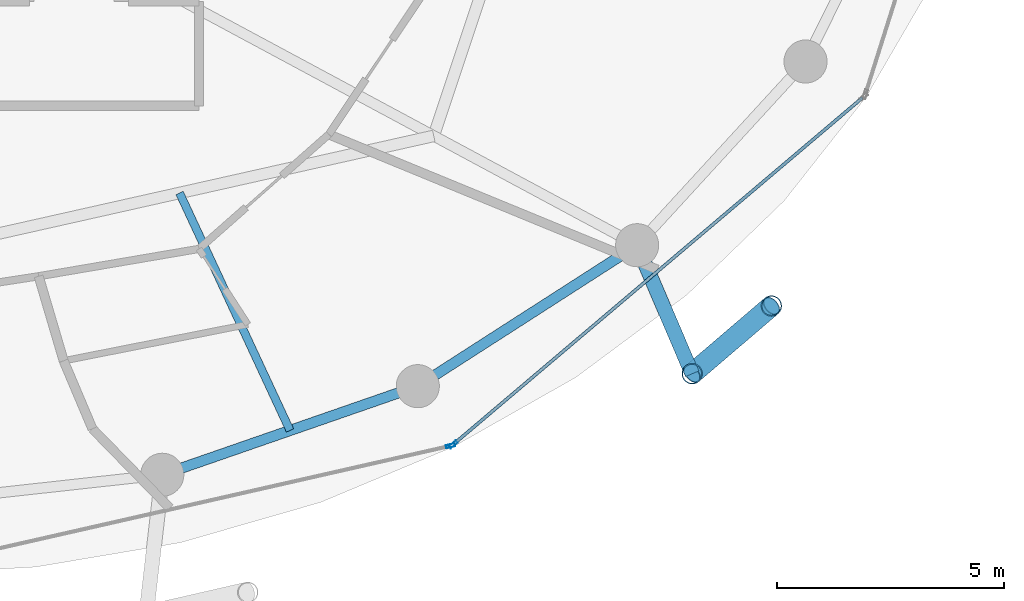
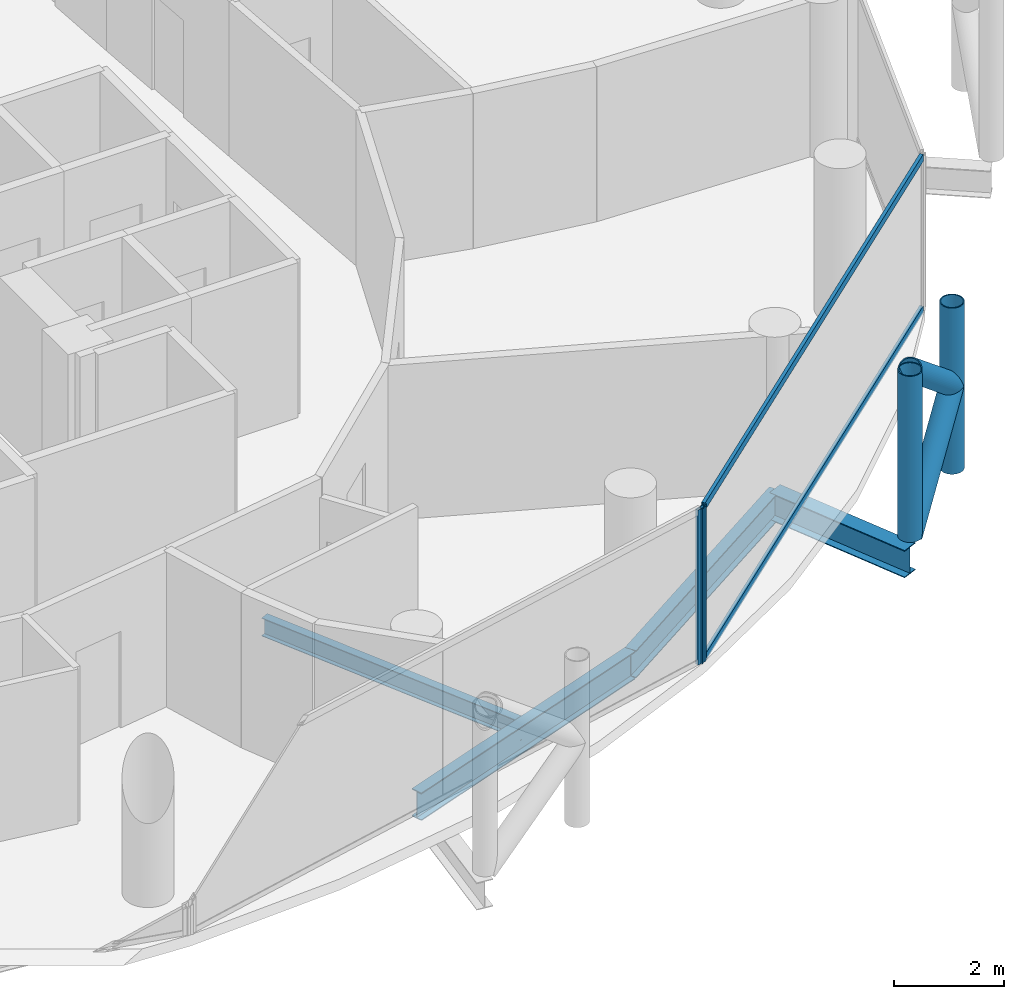
# One storey, part 8 of 26: 8 members, 4 beams, 2 elements without a shape of their own.
"""IFC4 building model written with IfcOpenShell, lengths in metres."""

from ifc_helpers import new_model, si_unit, direction, frame, origin, origin_2d, place, context, subcontext, project, spatial, hollow_rectangle, hollow_circle, i_section, extrude, material, layer, layer_set, material_profile, profile_set, type_object, element, aggregate, save


model = new_model("IFC4")

# Units and contexts
model_context = context("Model", 3, precision=1e-05, world=origin(), true_north=direction((0.0, 1.0)))
body_context = subcontext(model_context, "Body", "Model", "MODEL_VIEW")
ifc_project = project(units=[si_unit("LENGTHUNIT", "METRE"), si_unit("AREAUNIT", "SQUARE_METRE"), si_unit("VOLUMEUNIT", "CUBIC_METRE"), si_unit("PLANEANGLEUNIT", "RADIAN"), si_unit("MASSUNIT", "GRAM", prefix="KILO")], contexts=[model_context])

# Site, building, storey
site_placement = place(None, origin())
site = spatial("IfcSite", under=ifc_project, at=site_placement, CompositionType="ELEMENT")
building_placement = place(site_placement, origin())
building = spatial("IfcBuilding", under=site, at=building_placement, Name="Nuhasar Tower", CompositionType="ELEMENT")
storey_placement = place(building_placement, frame((0.0, 0.0, 125.64990234375)))
storey = spatial("IfcBuildingStorey", under=building, at=storey_placement, Name="L29", CompositionType="ELEMENT", Elevation=125.64990234375)

# Beams
ifc_material_1 = material(Name="Steel S355", Category="steel")
ifc_material_profile_1 = material_profile(ifc_material_1, i_section(OverallWidth=0.177978515625, OverallDepth=0.406005859375, WebThickness=0.0078125, FlangeThickness=0.0126953125, at=origin_2d()), Name="W16X40")
ifc_profile_set_1 = profile_set([ifc_material_profile_1], Name="Steel S355")
beam_type_1 = type_object("IfcBeamType", Name="BM-JST-W16X40", PredefinedType="JOIST", material=ifc_profile_set_1)
beam_1_placement = place(storey_placement, frame((45.424072265625, 14.1279296875, -0.452880859375), z_axis=(0.421729941201, -0.906721487941, 0.0), x_axis=(0.906721487941, 0.421729941201, 0.0)))
element("IfcBeam", 1, at=beam_1_placement, inside=storey, type_object=beam_type_1, Name="L29 Secondary Floor Joist 02", PredefinedType="JOIST", context=body_context, shape_type="SweptSolid", body=[
    extrude(i_section(OverallWidth=0.177978515625, OverallDepth=0.406005859375, WebThickness=0.0078125, FlangeThickness=0.0126953125, at=origin_2d()), origin(), (0.0, 0.0, 1.0), 5.7734375),
])
ifc_material_profile_2 = material_profile(ifc_material_1, i_section(OverallWidth=0.22998046875, OverallDepth=0.616943359375, WebThickness=0.01318359375, FlangeThickness=0.022216796875, at=origin_2d()), Name="W24X94")
ifc_profile_set_2 = profile_set([ifc_material_profile_2], Name="Steel S355")
beam_type_2 = type_object("IfcBeamType", Name="BM-RING-W24X94", PredefinedType="SPANDREL", material=ifc_profile_set_2)
beam_2_placement = place(storey_placement, frame((45.04296875, 7.916015625, -0.557861328125), z_axis=(0.944814057608, 0.327607076458, 0.0), x_axis=(-0.327607076458, 0.944814057608, 0.0)))
element("IfcBeam", 2, at=beam_2_placement, inside=storey, type_object=beam_type_2, Name="L29 Perimeter Ring Spandrel 20", PredefinedType="SPANDREL", context=body_context, shape_type="SweptSolid", body=[
    extrude(i_section(OverallWidth=0.22998046875, OverallDepth=0.616943359375, WebThickness=0.01318359375, FlangeThickness=0.022216796875, at=origin_2d()), origin(), (0.0, 0.0, 1.0), 5.9609375),
])
beam_3_placement = place(storey_placement, frame((50.675048828125, 9.868896484375, -0.557861328125), z_axis=(0.841308170616, 0.540555789955, 0.0), x_axis=(-0.540555789955, 0.841308170616, 0.0)))
element("IfcBeam", 3, at=beam_3_placement, inside=storey, type_object=beam_type_2, Name="L29 Perimeter Ring Spandrel 21", PredefinedType="SPANDREL", context=body_context, shape_type="SweptSolid", body=[
    extrude(i_section(OverallWidth=0.22998046875, OverallDepth=0.616943359375, WebThickness=0.01318359375, FlangeThickness=0.022216796875, at=origin_2d()), origin(), (0.0, 0.0, 1.0), 5.748046875),
])
ifc_material_profile_3 = material_profile(ifc_material_1, i_section(OverallWidth=0.323974609375, OverallDepth=0.611083984375, WebThickness=0.0126953125, FlangeThickness=0.01904296875, at=origin_2d()), Name="W24X104")
ifc_profile_set_3 = profile_set([ifc_material_profile_3], Name="Steel S355")
beam_type_3 = type_object("IfcBeamType", Name="BM-TIE-W24X104", PredefinedType="BEAM", material=ifc_profile_set_3)
beam_4_placement = place(storey_placement, frame((55.510986328125, 12.97607421875, -0.554931640625), z_axis=(0.39330721304, -0.919407111225, 0.0), x_axis=(0.919407111225, 0.39330721304, 0.0)))
element("IfcBeam", 4, at=beam_4_placement, inside=storey, type_object=beam_type_3, Name="L29 Exoskeleton Node Tie Beam 11", PredefinedType="BEAM", context=body_context, shape_type="SweptSolid", body=[
    extrude(i_section(OverallWidth=0.323974609375, OverallDepth=0.611083984375, WebThickness=0.0126953125, FlangeThickness=0.01904296875, at=origin_2d()), origin(), (0.0, 0.0, 1.0), 3.081298828125),
])

# Curtain wall, member
ifc_material_2 = material(Name="Aluminium 6063-T6", Category="aluminium")
ifc_layer = layer(ifc_material_2, 0.199951171875)
ifc_layer_set = layer_set([ifc_layer], Name="Aluminium 6063-T6")
curtain_wall_type = type_object("IfcCurtainWallType", Name="CW-Z2-HTL", PredefinedType="NOTDEFINED", material=ifc_layer_set)
curtain_wall_1_placement = place(storey_placement, origin())
curtain_wall_1 = element("IfcCurtainWall", 5, at=curtain_wall_1_placement, inside=storey, type_object=curtain_wall_type, Name="L29 Unitised Curtain Wall 10", PredefinedType="NOTDEFINED")
ifc_material_profile_4 = material_profile(ifc_material_2, hollow_rectangle(XDim=0.070068359375, YDim=0.199951171875, WallThickness=0.0048828125, at=origin_2d()), Name="CWM-3")
ifc_profile_set_4 = profile_set([ifc_material_profile_4], Name="Aluminium 6063-T6")
member_type_1 = type_object("IfcMemberType", Name="CW-MUL-S3", PredefinedType="MULLION", material=ifc_profile_set_4)
member_1_placement = place(storey_placement, frame((51.395751953125, 8.55419921875, 0.0), z_axis=(0.0, 0.0, 1.0), x_axis=(-0.22139729566, 0.975183694221, 0.0)))
member_1 = element("IfcMember", 6, at=member_1_placement, type_object=member_type_1, Name="CW-Z2 mullion 2", PredefinedType="MULLION", context=body_context, shape_type="SweptSolid", body=[
    extrude(hollow_rectangle(XDim=0.070068359375, YDim=0.199951171875, WallThickness=0.0048828125, at=origin_2d()), origin(), (0.0, 0.0, 1.0), 3.4501953125),
])
aggregate(curtain_wall_1, [member_1])

# Curtain wall, members
curtain_wall_2_placement = place(storey_placement, origin())
curtain_wall_2 = element("IfcCurtainWall", 7, at=curtain_wall_2_placement, inside=storey, type_object=curtain_wall_type, Name="L29 Unitised Curtain Wall 11", PredefinedType="NOTDEFINED")
member_2_placement = place(storey_placement, frame((51.456787109375, 8.584716796875, 0.0), z_axis=(0.0, 0.0, 1.0), x_axis=(-0.646374438324, 0.763020370292, 0.0)))
member_2 = element("IfcMember", 8, at=member_2_placement, type_object=member_type_1, Name="CW-Z2 mullion 1", PredefinedType="MULLION", context=body_context, shape_type="SweptSolid", body=[
    extrude(hollow_rectangle(XDim=0.070068359375, YDim=0.199951171875, WallThickness=0.0048828125, at=origin_2d()), origin(), (0.0, 0.0, 1.0), 3.4501953125),
])
ifc_material_profile_5 = material_profile(ifc_material_2, hollow_rectangle(XDim=0.070068359375, YDim=0.159912109375, WallThickness=0.00439453125, at=origin_2d()), Name="CWT-3")
ifc_profile_set_5 = profile_set([ifc_material_profile_5], Name="Aluminium 6063-T6")
member_type_2 = type_object("IfcMemberType", Name="CW-TRN-S3", PredefinedType="USERDEFINED", material=ifc_profile_set_5)
member_3_placement = place(storey_placement, frame((51.4833984375, 8.607177734375, 0.03515625), z_axis=(0.763013698099, 0.646382314511, 0.0), x_axis=(-0.646382314511, 0.763013698099, 0.0)))
member_3 = element("IfcMember", 9, at=member_3_placement, type_object=member_type_2, Name="CW-Z2 transom 1.1", ObjectType="TRANSOM", PredefinedType="USERDEFINED", context=body_context, shape_type="SweptSolid", body=[
    extrude(hollow_rectangle(XDim=0.070068359375, YDim=0.159912109375, WallThickness=0.00439453125, at=origin_2d()), origin(), (0.0, 0.0, 1.0), 11.78515625),
])
member_4_placement = place(storey_placement, frame((51.4833984375, 8.607177734375, 3.4150390625), z_axis=(0.763013698099, 0.646382314511, 0.0), x_axis=(-0.646382314511, 0.763013698099, 0.0)))
member_4 = element("IfcMember", 10, at=member_4_placement, type_object=member_type_2, Name="CW-Z2 transom 1.2", ObjectType="TRANSOM", PredefinedType="USERDEFINED", context=body_context, shape_type="SweptSolid", body=[
    extrude(hollow_rectangle(XDim=0.070068359375, YDim=0.159912109375, WallThickness=0.00439453125, at=origin_2d()), origin(), (0.0, 0.0, 1.0), 11.78515625),
])
aggregate(curtain_wall_2, [member_2, member_3, member_4])

# Members
ifc_material_3 = material(Name="Steel S460", Category="steel")
ifc_material_profile_6 = material_profile(ifc_material_3, hollow_circle(Radius=0.228515625, WallThickness=0.022216796875, at=origin_2d()), Name="HSS457X22.2")
ifc_profile_set_6 = profile_set([ifc_material_profile_6], Name="Steel S460")
member_type_3 = type_object("IfcMemberType", Name="EXO-BRONZE-457", PredefinedType="BRACE", material=ifc_profile_set_6)
for number, where, z_axis, x_axis, name in (
    (11, (56.722900390625, 10.14306640625, 0.0), (0.0, 0.0, 1.0), (1.0, 0.0, 0.0), "L29 Exoskeleton Chord Column EC-11A"),
    (12, (58.470947265625, 11.637939453125, 0.0), (0.0, 0.0, 1.0), (1.0, 0.0, 0.0), "L29 Exoskeleton Chord Column EC-11B"),
):
    element("IfcMember", number, at=place(storey_placement, frame(where, z_axis=z_axis, x_axis=x_axis)), inside=storey, type_object=member_type_3, Name=name, PredefinedType="BRACE", context=body_context, shape_type="SweptSolid", body=[
        extrude(hollow_circle(Radius=0.228515625, WallThickness=0.022216796875, at=origin_2d()), origin(), (0.0, 0.0, 1.0), 3.7001953125),
    ])
for number, where, z_axis, x_axis, name in (
    (13, (56.722900390625, 10.14306640625, 0.0), (0.592195175458, 0.506426125604, 0.626767463634), (-0.649925557156, 0.7599978751, 0.0), "L29 Bronze Diagrid Brace W1-11"),
    (14, (58.470947265625, 11.637939453125, 1.85009765625), (-0.592195175458, -0.506426125604, 0.626767463634), (0.649925557156, -0.7599978751, 0.0), "L29 Bronze Diagrid Brace W2-11"),
):
    element("IfcMember", number, at=place(storey_placement, frame(where, z_axis=z_axis, x_axis=x_axis)), inside=storey, type_object=member_type_3, Name=name, PredefinedType="BRACE", context=body_context, shape_type="SweptSolid", body=[
        extrude(hollow_circle(Radius=0.228515625, WallThickness=0.022216796875, at=origin_2d()), origin(), (0.0, 0.0, 1.0), 2.951904296875),
    ])

save(model, "model.ifc")
